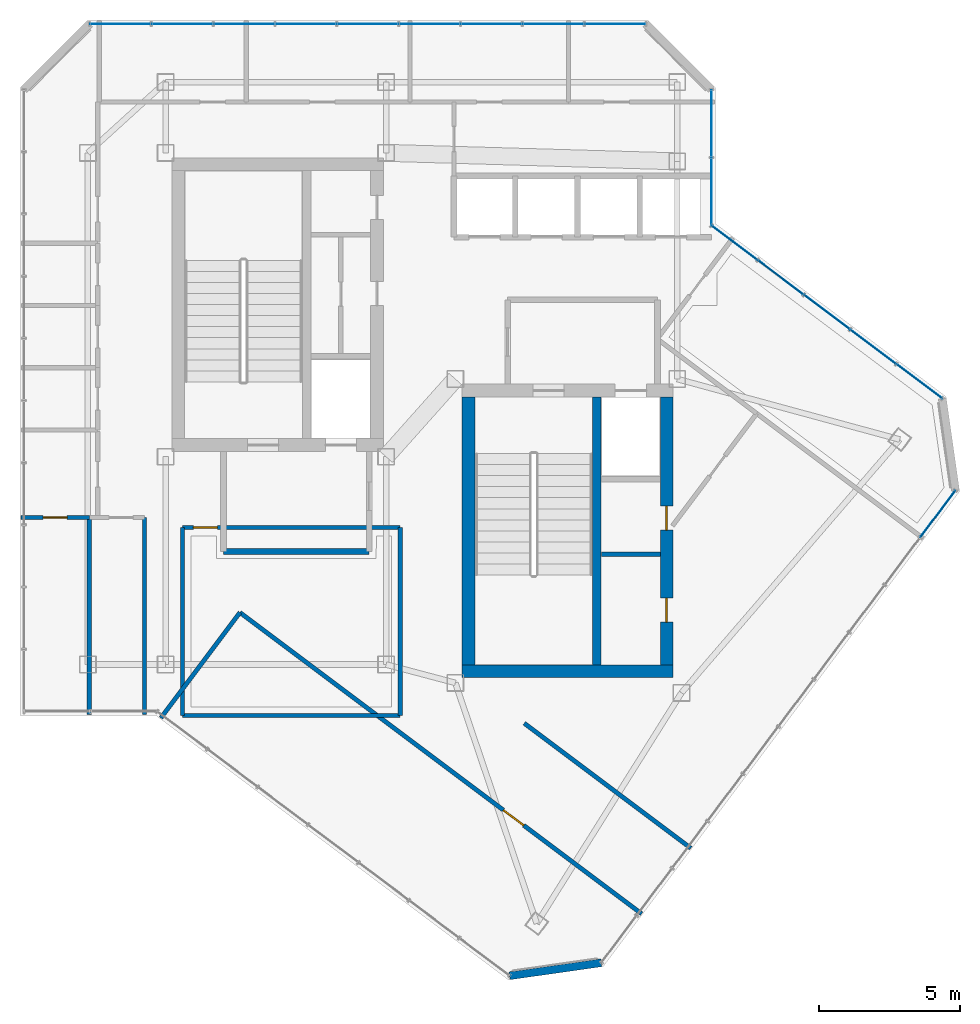
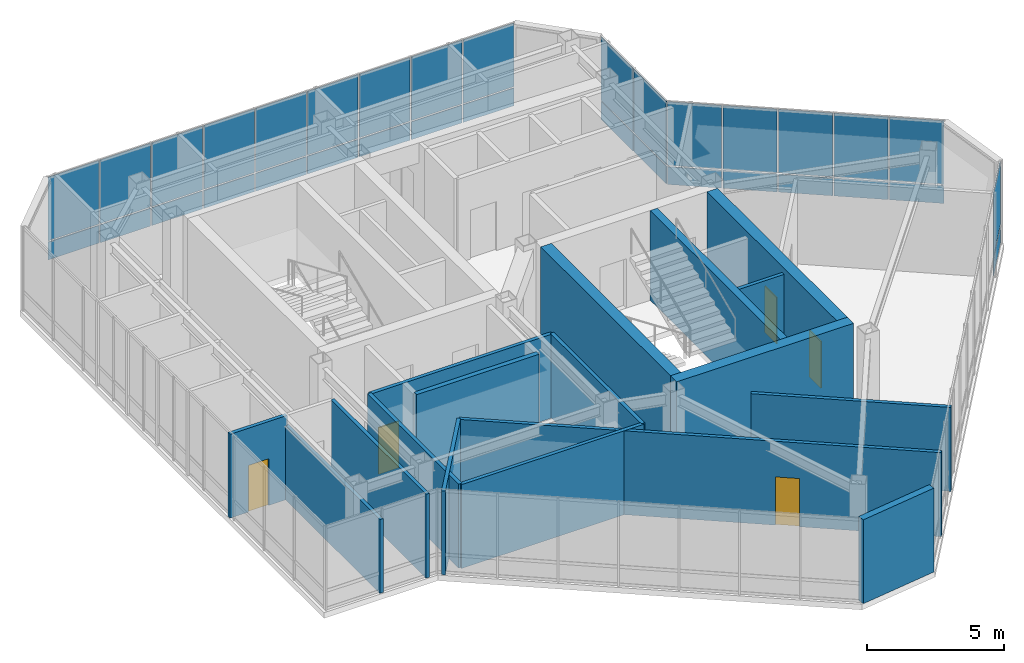
# One storey, part 25 of 29: 34 plates, 17 walls, 5 doors, 5 openings, 4 elements without a shape of their own.
"""IFC4 building model written with IfcOpenShell, lengths in metres."""

from ifc_helpers import new_model, si_unit, direction, frame, frame_2d, origin, origin_2d, place, context, subcontext, project, spatial, rectangle, extrude, material, layer, layer_set, type_object, element, fill, aggregate, save


model = new_model("IFC4")

# Units and contexts
model_context = context("Model", 3, precision=1e-05, world=origin(), true_north=direction((0.0, 1.0)))
body_context = subcontext(model_context, "Body", "Model", "MODEL_VIEW")
ifc_project = project(units=[si_unit("LENGTHUNIT", "METRE"), si_unit("AREAUNIT", "SQUARE_METRE"), si_unit("VOLUMEUNIT", "CUBIC_METRE"), si_unit("PLANEANGLEUNIT", "RADIAN"), si_unit("MASSUNIT", "GRAM", prefix="KILO")], contexts=[model_context])

# Site, building, storey
site_placement = place(None, origin())
site = spatial("IfcSite", under=ifc_project, at=site_placement, CompositionType="ELEMENT")
building_placement = place(site_placement, origin())
building = spatial("IfcBuilding", under=site, at=building_placement, Name="Hatsunagi Terrace Concourse", CompositionType="ELEMENT")
storey_placement = place(building_placement, frame((0.0, 0.0, 277.949951171875)))
storey = spatial("IfcBuildingStorey", under=building, at=storey_placement, Name="L73", CompositionType="ELEMENT", Elevation=277.949951171875)

# Curtain wall, plates
ifc_material_1 = material(Name="Anodised Aluminium Alloy 6063-T5", Category="aluminium")
ifc_layer_1 = layer(ifc_material_1, 0.199951171875)
ifc_layer_set_1 = layer_set([ifc_layer_1], Name="CrownWintergarden_CW06")
curtain_wall_type = type_object("IfcCurtainWallType", Name="CrownWintergarden_CW06", PredefinedType="NOTDEFINED", material=ifc_layer_set_1)
curtain_wall_1_placement = place(storey_placement, origin())
curtain_wall_1 = element("IfcCurtainWall", 1, at=curtain_wall_1_placement, inside=storey, type_object=curtain_wall_type, Name="Unitised Curtain Wall CW-06 CW-L73-01", PredefinedType="NOTDEFINED")
ifc_material_2 = material(Name="Warm Terracotta Ceramic Spandrel Panel", Category="masonry")
ifc_layer_2 = layer(ifc_material_2, 0.031982421875)
ifc_layer_set_2 = layer_set([ifc_layer_2], Name="CurtainWallSpandrelPanel_32")
plate_type_1 = type_object("IfcPlateType", Name="CurtainWallSpandrelPanel_32", PredefinedType="SHEET", material=ifc_layer_set_2)
plate_1_placement = place(storey_placement, frame((45.677001953125, 40.116943359375, 0.030029296875), z_axis=(0.0, 0.0, 1.0), x_axis=(0.800023013105, -0.599969314634, 0.0)))
plate_1 = element("IfcPlate", 2, at=plate_1_placement, type_object=plate_type_1, Name="Terracotta Spandrel Panel SPN-01", PredefinedType="SHEET", context=body_context, shape_type="SweptSolid", body=[
    extrude(rectangle(XDim=1.987060546875, YDim=0.031982421875, at=origin_2d()), origin(), (0.0, 0.0, 1.0), 0.7900390625),
])
plate_2_placement = place(storey_placement, frame((47.31103515625, 38.89208984375, 0.030029296875), z_axis=(0.0, 0.0, 1.0), x_axis=(0.800023013105, -0.599969314634, 0.0)))
plate_2 = element("IfcPlate", 3, at=plate_2_placement, type_object=plate_type_1, Name="Terracotta Spandrel Panel SPN-01", PredefinedType="SHEET", context=body_context, shape_type="SweptSolid", body=[
    extrude(rectangle(XDim=1.987060546875, YDim=0.031982421875, at=origin_2d()), origin(), (0.0, 0.0, 1.0), 0.7900390625),
])
plate_3_placement = place(storey_placement, frame((48.945068359375, 37.666015625, 0.030029296875), z_axis=(0.0, 0.0, 1.0), x_axis=(0.800023013105, -0.599969314634, 0.0)))
plate_3 = element("IfcPlate", 4, at=plate_3_placement, type_object=plate_type_1, Name="Terracotta Spandrel Panel SPN-01", PredefinedType="SHEET", context=body_context, shape_type="SweptSolid", body=[
    extrude(rectangle(XDim=1.987060546875, YDim=0.031982421875, at=origin_2d()), origin(), (0.0, 0.0, 1.0), 0.7900390625),
])
plate_4_placement = place(storey_placement, frame((50.5791015625, 36.44091796875, 0.030029296875), z_axis=(0.0, 0.0, 1.0), x_axis=(0.800023013105, -0.599969314634, 0.0)))
plate_4 = element("IfcPlate", 5, at=plate_4_placement, type_object=plate_type_1, Name="Terracotta Spandrel Panel SPN-01", PredefinedType="SHEET", context=body_context, shape_type="SweptSolid", body=[
    extrude(rectangle(XDim=1.987060546875, YDim=0.031982421875, at=origin_2d()), origin(), (0.0, 0.0, 1.0), 0.7900390625),
])
plate_5_placement = place(storey_placement, frame((52.212890625, 35.216064453125, 0.030029296875), z_axis=(0.0, 0.0, 1.0), x_axis=(0.800023013105, -0.599969314634, 0.0)))
plate_5 = element("IfcPlate", 6, at=plate_5_placement, type_object=plate_type_1, Name="Terracotta Spandrel Panel SPN-01", PredefinedType="SHEET", context=body_context, shape_type="SweptSolid", body=[
    extrude(rectangle(XDim=1.987060546875, YDim=0.031982421875, at=origin_2d()), origin(), (0.0, 0.0, 1.0), 0.7900390625),
])

# Curtain wall, plate
curtain_wall_2_placement = place(storey_placement, origin())
curtain_wall_2 = element("IfcCurtainWall", 7, at=curtain_wall_2_placement, inside=storey, type_object=curtain_wall_type, Name="Unitised Curtain Wall CW-06 CW-L73-03", PredefinedType="NOTDEFINED")
plate_6_placement = place(storey_placement, frame((52.866943359375, 30.52294921875, 0.030029296875), z_axis=(0.0, 0.0, 1.0), x_axis=(-0.599969314634, -0.800023013105, 0.0)))
plate_6 = element("IfcPlate", 8, at=plate_6_placement, type_object=plate_type_1, Name="Terracotta Spandrel Panel SPN-01", PredefinedType="SHEET", context=body_context, shape_type="SweptSolid", body=[
    extrude(rectangle(XDim=2.032958984375, YDim=0.031982421875, at=origin_2d()), origin(), (0.0, 0.0, 1.0), 0.7900390625),
])

# Curtain wall, plates
curtain_wall_3_placement = place(storey_placement, origin())
curtain_wall_3 = element("IfcCurtainWall", 9, at=curtain_wall_3_placement, inside=storey, type_object=curtain_wall_type, Name="Unitised Curtain Wall CW-06 CW-L73-09", PredefinedType="NOTDEFINED")
plate_7_placement = place(storey_placement, frame((23.951904296875, 47.860107421875, 0.030029296875), z_axis=(0.0, 0.0, 1.0), x_axis=(1.0, 0.0, 0.0)))
plate_7 = element("IfcPlate", 10, at=plate_7_placement, type_object=plate_type_1, Name="Terracotta Spandrel Panel SPN-01", PredefinedType="SHEET", context=body_context, shape_type="SweptSolid", body=[
    extrude(rectangle(XDim=2.132080078125, YDim=0.031982421875, at=origin_2d()), origin(), (0.0, 0.0, 1.0), 0.7900390625),
])
plate_8_placement = place(storey_placement, frame((26.138916015625, 47.860107421875, 0.030029296875), z_axis=(0.0, 0.0, 1.0), x_axis=(1.0, 0.0, 0.0)))
plate_8 = element("IfcPlate", 11, at=plate_8_placement, type_object=plate_type_1, Name="Terracotta Spandrel Panel SPN-01", PredefinedType="SHEET", context=body_context, shape_type="SweptSolid", body=[
    extrude(rectangle(XDim=2.132080078125, YDim=0.031982421875, at=origin_2d()), origin(), (0.0, 0.0, 1.0), 0.7900390625),
])
plate_9_placement = place(storey_placement, frame((28.325927734375, 47.860107421875, 0.030029296875), z_axis=(0.0, 0.0, 1.0), x_axis=(1.0, 0.0, 0.0)))
plate_9 = element("IfcPlate", 12, at=plate_9_placement, type_object=plate_type_1, Name="Terracotta Spandrel Panel SPN-01", PredefinedType="SHEET", context=body_context, shape_type="SweptSolid", body=[
    extrude(rectangle(XDim=2.132080078125, YDim=0.031982421875, at=origin_2d()), origin(), (0.0, 0.0, 1.0), 0.7900390625),
])
plate_10_placement = place(storey_placement, frame((30.512939453125, 47.860107421875, 0.030029296875), z_axis=(0.0, 0.0, 1.0), x_axis=(1.0, 0.0, 0.0)))
plate_10 = element("IfcPlate", 13, at=plate_10_placement, type_object=plate_type_1, Name="Terracotta Spandrel Panel SPN-01", PredefinedType="SHEET", context=body_context, shape_type="SweptSolid", body=[
    extrude(rectangle(XDim=2.132080078125, YDim=0.031982421875, at=origin_2d()), origin(), (0.0, 0.0, 1.0), 0.7900390625),
])
plate_11_placement = place(storey_placement, frame((32.699951171875, 47.860107421875, 0.030029296875), z_axis=(0.0, 0.0, 1.0), x_axis=(1.0, 0.0, 0.0)))
plate_11 = element("IfcPlate", 14, at=plate_11_placement, type_object=plate_type_1, Name="Terracotta Spandrel Panel SPN-01", PredefinedType="SHEET", context=body_context, shape_type="SweptSolid", body=[
    extrude(rectangle(XDim=2.132080078125, YDim=0.031982421875, at=origin_2d()), origin(), (0.0, 0.0, 1.0), 0.7900390625),
])
plate_12_placement = place(storey_placement, frame((34.886962890625, 47.860107421875, 0.030029296875), z_axis=(0.0, 0.0, 1.0), x_axis=(1.0, 0.0, 0.0)))
plate_12 = element("IfcPlate", 15, at=plate_12_placement, type_object=plate_type_1, Name="Terracotta Spandrel Panel SPN-01", PredefinedType="SHEET", context=body_context, shape_type="SweptSolid", body=[
    extrude(rectangle(XDim=2.132080078125, YDim=0.031982421875, at=origin_2d()), origin(), (0.0, 0.0, 1.0), 0.7900390625),
])
plate_13_placement = place(storey_placement, frame((37.073974609375, 47.860107421875, 0.030029296875), z_axis=(0.0, 0.0, 1.0), x_axis=(1.0, 0.0, 0.0)))
plate_13 = element("IfcPlate", 16, at=plate_13_placement, type_object=plate_type_1, Name="Terracotta Spandrel Panel SPN-01", PredefinedType="SHEET", context=body_context, shape_type="SweptSolid", body=[
    extrude(rectangle(XDim=2.132080078125, YDim=0.031982421875, at=origin_2d()), origin(), (0.0, 0.0, 1.0), 0.7900390625),
])
plate_14_placement = place(storey_placement, frame((39.260986328125, 47.860107421875, 0.030029296875), z_axis=(0.0, 0.0, 1.0), x_axis=(1.0, 0.0, 0.0)))
plate_14 = element("IfcPlate", 17, at=plate_14_placement, type_object=plate_type_1, Name="Terracotta Spandrel Panel SPN-01", PredefinedType="SHEET", context=body_context, shape_type="SweptSolid", body=[
    extrude(rectangle(XDim=2.132080078125, YDim=0.031982421875, at=origin_2d()), origin(), (0.0, 0.0, 1.0), 0.7900390625),
])
plate_15_placement = place(storey_placement, frame((41.447998046875, 47.860107421875, 0.030029296875), z_axis=(0.0, 0.0, 1.0), x_axis=(1.0, 0.0, 0.0)))
plate_15 = element("IfcPlate", 18, at=plate_15_placement, type_object=plate_type_1, Name="Terracotta Spandrel Panel SPN-01", PredefinedType="SHEET", context=body_context, shape_type="SweptSolid", body=[
    extrude(rectangle(XDim=2.132080078125, YDim=0.031982421875, at=origin_2d()), origin(), (0.0, 0.0, 1.0), 0.7900390625),
])

curtain_wall_4_placement = place(storey_placement, origin())
curtain_wall_4 = element("IfcCurtainWall", 19, at=curtain_wall_4_placement, inside=storey, type_object=curtain_wall_type, Name="Unitised Curtain Wall CW-06 CW-L73-11", PredefinedType="NOTDEFINED")
plate_16_placement = place(storey_placement, frame((44.860107421875, 44.339111328125, 0.030029296875), z_axis=(0.0, 0.0, 1.0), x_axis=(0.0, -1.0, 0.0)))
plate_16 = element("IfcPlate", 20, at=plate_16_placement, type_object=plate_type_1, Name="Terracotta Spandrel Panel SPN-01", PredefinedType="SHEET", context=body_context, shape_type="SweptSolid", body=[
    extrude(rectangle(XDim=2.35107421875, YDim=0.031982421875, at=origin_2d()), origin(), (0.0, 0.0, 1.0), 0.7900390625),
])
plate_17_placement = place(storey_placement, frame((44.860107421875, 41.93310546875, 0.030029296875), z_axis=(0.0, 0.0, 1.0), x_axis=(0.0, -1.0, 0.0)))
plate_17 = element("IfcPlate", 21, at=plate_17_placement, type_object=plate_type_1, Name="Terracotta Spandrel Panel SPN-01", PredefinedType="SHEET", context=body_context, shape_type="SweptSolid", body=[
    extrude(rectangle(XDim=2.35107421875, YDim=0.031982421875, at=origin_2d()), origin(), (0.0, 0.0, 1.0), 0.7900390625),
])

# Plate
ifc_material_3 = material(Name="Low-E Double Insulating Glass 28mm", Category="glass")
ifc_layer_3 = layer(ifc_material_3, 0.028076171875)
ifc_layer_set_3 = layer_set([ifc_layer_3], Name="CurtainWallVisionGlass_28")
plate_type_2 = type_object("IfcPlateType", Name="CurtainWallVisionGlass_28", PredefinedType="CURTAIN_PANEL", material=ifc_layer_set_3)
plate_18_placement = place(storey_placement, frame((45.677001953125, 40.116943359375, 0.880126953125), z_axis=(0.0, 0.0, 1.0), x_axis=(0.800023013105, -0.599969314634, 0.0)))
plate_18 = element("IfcPlate", 22, at=plate_18_placement, type_object=plate_type_2, Name="Low-E Vision Glass Panel GLZ-01", PredefinedType="CURTAIN_PANEL", context=body_context, shape_type="SweptSolid", body=[
    extrude(rectangle(XDim=1.987060546875, YDim=0.028076171875, at=origin_2d()), origin(), (0.0, 0.0, 1.0), 2.830078125),
])

plate_19_placement = place(storey_placement, frame((47.31103515625, 38.89208984375, 0.880126953125), z_axis=(0.0, 0.0, 1.0), x_axis=(0.800023013105, -0.599969314634, 0.0)))
plate_19 = element("IfcPlate", 23, at=plate_19_placement, type_object=plate_type_2, Name="Low-E Vision Glass Panel GLZ-01", PredefinedType="CURTAIN_PANEL", context=body_context, shape_type="SweptSolid", body=[
    extrude(rectangle(XDim=1.987060546875, YDim=0.028076171875, at=origin_2d()), origin(), (0.0, 0.0, 1.0), 2.830078125),
])

plate_20_placement = place(storey_placement, frame((48.945068359375, 37.666015625, 0.880126953125), z_axis=(0.0, 0.0, 1.0), x_axis=(0.800023013105, -0.599969314634, 0.0)))
plate_20 = element("IfcPlate", 24, at=plate_20_placement, type_object=plate_type_2, Name="Low-E Vision Glass Panel GLZ-01", PredefinedType="CURTAIN_PANEL", context=body_context, shape_type="SweptSolid", body=[
    extrude(rectangle(XDim=1.987060546875, YDim=0.028076171875, at=origin_2d()), origin(), (0.0, 0.0, 1.0), 2.830078125),
])

plate_21_placement = place(storey_placement, frame((50.5791015625, 36.44091796875, 0.880126953125), z_axis=(0.0, 0.0, 1.0), x_axis=(0.800023013105, -0.599969314634, 0.0)))
plate_21 = element("IfcPlate", 25, at=plate_21_placement, type_object=plate_type_2, Name="Low-E Vision Glass Panel GLZ-01", PredefinedType="CURTAIN_PANEL", context=body_context, shape_type="SweptSolid", body=[
    extrude(rectangle(XDim=1.987060546875, YDim=0.028076171875, at=origin_2d()), origin(), (0.0, 0.0, 1.0), 2.830078125),
])

plate_22_placement = place(storey_placement, frame((52.212890625, 35.216064453125, 0.880126953125), z_axis=(0.0, 0.0, 1.0), x_axis=(0.800023013105, -0.599969314634, 0.0)))
plate_22 = element("IfcPlate", 26, at=plate_22_placement, type_object=plate_type_2, Name="Low-E Vision Glass Panel GLZ-01", PredefinedType="CURTAIN_PANEL", context=body_context, shape_type="SweptSolid", body=[
    extrude(rectangle(XDim=1.987060546875, YDim=0.028076171875, at=origin_2d()), origin(), (0.0, 0.0, 1.0), 2.830078125),
])

aggregate(curtain_wall_1, [plate_1, plate_18, plate_2, plate_19, plate_3, plate_20, plate_4, plate_21, plate_5, plate_22])

plate_23_placement = place(storey_placement, frame((52.866943359375, 30.52294921875, 0.880126953125), z_axis=(0.0, 0.0, 1.0), x_axis=(-0.599969314634, -0.800023013105, 0.0)))
plate_23 = element("IfcPlate", 27, at=plate_23_placement, type_object=plate_type_2, Name="Low-E Vision Glass Panel GLZ-01", PredefinedType="CURTAIN_PANEL", context=body_context, shape_type="SweptSolid", body=[
    extrude(rectangle(XDim=2.032958984375, YDim=0.028076171875, at=origin_2d()), origin(), (0.0, 0.0, 1.0), 2.830078125),
])

aggregate(curtain_wall_2, [plate_6, plate_23])

plate_24_placement = place(storey_placement, frame((23.951904296875, 47.860107421875, 0.880126953125), z_axis=(0.0, 0.0, 1.0), x_axis=(1.0, 0.0, 0.0)))
plate_24 = element("IfcPlate", 28, at=plate_24_placement, type_object=plate_type_2, Name="Low-E Vision Glass Panel GLZ-01", PredefinedType="CURTAIN_PANEL", context=body_context, shape_type="SweptSolid", body=[
    extrude(rectangle(XDim=2.132080078125, YDim=0.028076171875, at=origin_2d()), origin(), (0.0, 0.0, 1.0), 2.830078125),
])

plate_25_placement = place(storey_placement, frame((26.138916015625, 47.860107421875, 0.880126953125), z_axis=(0.0, 0.0, 1.0), x_axis=(1.0, 0.0, 0.0)))
plate_25 = element("IfcPlate", 29, at=plate_25_placement, type_object=plate_type_2, Name="Low-E Vision Glass Panel GLZ-01", PredefinedType="CURTAIN_PANEL", context=body_context, shape_type="SweptSolid", body=[
    extrude(rectangle(XDim=2.132080078125, YDim=0.028076171875, at=origin_2d()), origin(), (0.0, 0.0, 1.0), 2.830078125),
])

plate_26_placement = place(storey_placement, frame((28.325927734375, 47.860107421875, 0.880126953125), z_axis=(0.0, 0.0, 1.0), x_axis=(1.0, 0.0, 0.0)))
plate_26 = element("IfcPlate", 30, at=plate_26_placement, type_object=plate_type_2, Name="Low-E Vision Glass Panel GLZ-01", PredefinedType="CURTAIN_PANEL", context=body_context, shape_type="SweptSolid", body=[
    extrude(rectangle(XDim=2.132080078125, YDim=0.028076171875, at=origin_2d()), origin(), (0.0, 0.0, 1.0), 2.830078125),
])

plate_27_placement = place(storey_placement, frame((30.512939453125, 47.860107421875, 0.880126953125), z_axis=(0.0, 0.0, 1.0), x_axis=(1.0, 0.0, 0.0)))
plate_27 = element("IfcPlate", 31, at=plate_27_placement, type_object=plate_type_2, Name="Low-E Vision Glass Panel GLZ-01", PredefinedType="CURTAIN_PANEL", context=body_context, shape_type="SweptSolid", body=[
    extrude(rectangle(XDim=2.132080078125, YDim=0.028076171875, at=origin_2d()), origin(), (0.0, 0.0, 1.0), 2.830078125),
])

plate_28_placement = place(storey_placement, frame((32.699951171875, 47.860107421875, 0.880126953125), z_axis=(0.0, 0.0, 1.0), x_axis=(1.0, 0.0, 0.0)))
plate_28 = element("IfcPlate", 32, at=plate_28_placement, type_object=plate_type_2, Name="Low-E Vision Glass Panel GLZ-01", PredefinedType="CURTAIN_PANEL", context=body_context, shape_type="SweptSolid", body=[
    extrude(rectangle(XDim=2.132080078125, YDim=0.028076171875, at=origin_2d()), origin(), (0.0, 0.0, 1.0), 2.830078125),
])

plate_29_placement = place(storey_placement, frame((34.886962890625, 47.860107421875, 0.880126953125), z_axis=(0.0, 0.0, 1.0), x_axis=(1.0, 0.0, 0.0)))
plate_29 = element("IfcPlate", 33, at=plate_29_placement, type_object=plate_type_2, Name="Low-E Vision Glass Panel GLZ-01", PredefinedType="CURTAIN_PANEL", context=body_context, shape_type="SweptSolid", body=[
    extrude(rectangle(XDim=2.132080078125, YDim=0.028076171875, at=origin_2d()), origin(), (0.0, 0.0, 1.0), 2.830078125),
])

plate_30_placement = place(storey_placement, frame((37.073974609375, 47.860107421875, 0.880126953125), z_axis=(0.0, 0.0, 1.0), x_axis=(1.0, 0.0, 0.0)))
plate_30 = element("IfcPlate", 34, at=plate_30_placement, type_object=plate_type_2, Name="Low-E Vision Glass Panel GLZ-01", PredefinedType="CURTAIN_PANEL", context=body_context, shape_type="SweptSolid", body=[
    extrude(rectangle(XDim=2.132080078125, YDim=0.028076171875, at=origin_2d()), origin(), (0.0, 0.0, 1.0), 2.830078125),
])

plate_31_placement = place(storey_placement, frame((39.260986328125, 47.860107421875, 0.880126953125), z_axis=(0.0, 0.0, 1.0), x_axis=(1.0, 0.0, 0.0)))
plate_31 = element("IfcPlate", 35, at=plate_31_placement, type_object=plate_type_2, Name="Low-E Vision Glass Panel GLZ-01", PredefinedType="CURTAIN_PANEL", context=body_context, shape_type="SweptSolid", body=[
    extrude(rectangle(XDim=2.132080078125, YDim=0.028076171875, at=origin_2d()), origin(), (0.0, 0.0, 1.0), 2.830078125),
])

plate_32_placement = place(storey_placement, frame((41.447998046875, 47.860107421875, 0.880126953125), z_axis=(0.0, 0.0, 1.0), x_axis=(1.0, 0.0, 0.0)))
plate_32 = element("IfcPlate", 36, at=plate_32_placement, type_object=plate_type_2, Name="Low-E Vision Glass Panel GLZ-01", PredefinedType="CURTAIN_PANEL", context=body_context, shape_type="SweptSolid", body=[
    extrude(rectangle(XDim=2.132080078125, YDim=0.028076171875, at=origin_2d()), origin(), (0.0, 0.0, 1.0), 2.830078125),
])

aggregate(curtain_wall_3, [plate_7, plate_24, plate_8, plate_25, plate_9, plate_26, plate_10, plate_27, plate_11, plate_28, plate_12, plate_29, plate_13, plate_30, plate_14, plate_31, plate_15, plate_32])

plate_33_placement = place(storey_placement, frame((44.860107421875, 44.339111328125, 0.880126953125), z_axis=(0.0, 0.0, 1.0), x_axis=(0.0, -1.0, 0.0)))
plate_33 = element("IfcPlate", 37, at=plate_33_placement, type_object=plate_type_2, Name="Low-E Vision Glass Panel GLZ-01", PredefinedType="CURTAIN_PANEL", context=body_context, shape_type="SweptSolid", body=[
    extrude(rectangle(XDim=2.35107421875, YDim=0.028076171875, at=origin_2d()), origin(), (0.0, 0.0, 1.0), 2.830078125),
])

plate_34_placement = place(storey_placement, frame((44.860107421875, 41.93310546875, 0.880126953125), z_axis=(0.0, 0.0, 1.0), x_axis=(0.0, -1.0, 0.0)))
plate_34 = element("IfcPlate", 38, at=plate_34_placement, type_object=plate_type_2, Name="Low-E Vision Glass Panel GLZ-01", PredefinedType="CURTAIN_PANEL", context=body_context, shape_type="SweptSolid", body=[
    extrude(rectangle(XDim=2.35107421875, YDim=0.028076171875, at=origin_2d()), origin(), (0.0, 0.0, 1.0), 2.830078125),
])

aggregate(curtain_wall_4, [plate_16, plate_33, plate_17, plate_34])

# Walls
ifc_material_4 = material(Name="Concrete Fc42", Category="concrete")
ifc_layer_4 = layer(ifc_material_4, 0.449951171875)
ifc_layer_set_4 = layer_set([ifc_layer_4], Name="CoreShearWall_Fc42_450")
wall_type_1 = type_object("IfcWallType", Name="CoreShearWall_Fc42_450", PredefinedType="SHEAR", material=ifc_layer_set_4)
wall_1_placement = place(storey_placement, frame((36.0400390625, 24.965087890625, 0.0), z_axis=(0.0, 0.0, 1.0), x_axis=(1.0, 0.0, 0.0)))
element("IfcWall", 39, at=wall_1_placement, inside=storey, type_object=wall_type_1, Name="Core B Shear Wall S L73", PredefinedType="SHEAR", context=body_context, shape_type="SweptSolid", body=[
    extrude(rectangle(XDim=7.4599609375, YDim=0.449951171875, at=frame_2d((3.72998046875, 0.0))), origin(), (0.0, 0.0, 1.0), 4.0),
])
wall_2_placement = place(storey_placement, frame((36.264892578125, 25.18994140625, 0.0), z_axis=(0.0, 0.0, 1.0), x_axis=(0.0, 1.0, 0.0)))
element("IfcWall", 40, at=wall_2_placement, inside=storey, type_object=wall_type_1, Name="Core B Shear Wall W L73", PredefinedType="SHEAR", context=body_context, shape_type="SweptSolid", body=[
    extrude(rectangle(XDim=9.47998046875, YDim=0.449951171875, at=frame_2d((4.739990234375, 0.0))), origin(), (0.0, 0.0, 1.0), 4.0),
])

# Wall, openings, doors
wall_3_placement = place(storey_placement, frame((43.27490234375, 25.18994140625, 0.0), z_axis=(0.0, 0.0, 1.0), x_axis=(0.0, 1.0, 0.0)))
wall_3 = element("IfcWall", 41, at=wall_3_placement, inside=storey, type_object=wall_type_1, Name="Core B Shear Wall E L73", PredefinedType="SHEAR", context=body_context, shape_type="SweptSolid", body=[
    extrude(rectangle(XDim=9.47998046875, YDim=0.449951171875, at=frame_2d((4.739990234375, 0.0))), origin(), (0.0, 0.0, 1.0), 4.0),
])
opening_1_placement = place(wall_3_placement, frame((1.510009765625, 0.0, 0.0)))
opening_1 = element("IfcOpeningElement", 42, at=opening_1_placement, cuts=wall_3, Name="Opening DR-085", PredefinedType="OPENING", context=body_context, shape_type="SweptSolid", body=[
    extrude(rectangle(XDim=0.85009765625, YDim=2.080078125, at=frame_2d((0.425048828125, 1.0400390625))), frame((0.0, 0.23486328125, 0.0), z_axis=(0.0, -1.0, 0.0), x_axis=(1.0, 0.0, 0.0)), (0.0, 0.0, 1.0), 0.469970703125),
])
opening_2_placement = place(wall_3_placement, frame((4.760009765625, 0.0, 0.0)))
opening_2 = element("IfcOpeningElement", 43, at=opening_2_placement, cuts=wall_3, Name="Opening DR-085", PredefinedType="OPENING", context=body_context, shape_type="SweptSolid", body=[
    extrude(rectangle(XDim=0.85009765625, YDim=2.080078125, at=frame_2d((0.425048828125, 1.0400390625))), frame((0.0, 0.23486328125, 0.0), z_axis=(0.0, -1.0, 0.0), x_axis=(1.0, 0.0, 0.0)), (0.0, 0.0, 1.0), 0.469970703125),
])
ifc_material_5 = material(Name="Painted steel", Category="steel")
door_type_1 = type_object("IfcDoorType", Name="RiserAccessDoor_EI60_850", OperationType="NOTDEFINED", PredefinedType="DOOR", material=ifc_material_5)
door_1_placement = place(opening_1_placement, origin())
door_1 = element("IfcDoor", 44, at=door_1_placement, inside=storey, type_object=door_type_1, Name="Core B Riser Door L73-1", OperationType="SINGLE_SWING_RIGHT", OverallHeight=2.080078125, OverallWidth=0.85009765625, PredefinedType="DOOR", context=body_context, shape_type="SweptSolid", body=[
    extrude(rectangle(XDim=0.85009765625, YDim=2.080078125, at=frame_2d((0.425048828125, 1.0400390625))), frame((0.0, 0.02490234375, 0.0), z_axis=(0.0, -1.0, 0.0), x_axis=(1.0, 0.0, 0.0)), (0.0, 0.0, 1.0), 0.050048828125),
])
fill(opening_1, door_1)
door_2_placement = place(opening_2_placement, origin())
door_2 = element("IfcDoor", 45, at=door_2_placement, inside=storey, type_object=door_type_1, Name="Core B Riser Door L73-2", OperationType="SINGLE_SWING_RIGHT", OverallHeight=2.080078125, OverallWidth=0.85009765625, PredefinedType="DOOR", context=body_context, shape_type="SweptSolid", body=[
    extrude(rectangle(XDim=0.85009765625, YDim=2.080078125, at=frame_2d((0.425048828125, 1.0400390625))), frame((0.0, 0.02490234375, 0.0), z_axis=(0.0, -1.0, 0.0), x_axis=(1.0, 0.0, 0.0)), (0.0, 0.0, 1.0), 0.050048828125),
])
fill(opening_2, door_2)

# Walls
ifc_material_6 = material(Name="Concrete Fc48", Category="concrete")
ifc_layer_5 = layer(ifc_material_6, 0.300048828125)
ifc_layer_set_5 = layer_set([ifc_layer_5], Name="CoreStairDivider_Fc48_300")
wall_type_2 = type_object("IfcWallType", Name="CoreStairDivider_Fc48_300", PredefinedType="SHEAR", material=ifc_layer_set_5)
wall_4_placement = place(storey_placement, frame((40.81005859375, 25.18994140625, 0.0), z_axis=(0.0, 0.0, 1.0), x_axis=(0.0, 1.0, 0.0)))
element("IfcWall", 46, at=wall_4_placement, inside=storey, type_object=wall_type_2, Name="Core B Shear Wall D L73", PredefinedType="SHEAR", context=body_context, shape_type="SweptSolid", body=[
    extrude(rectangle(XDim=9.47998046875, YDim=0.300048828125, at=frame_2d((4.739990234375, 0.0))), origin(), (0.0, 0.0, 1.0), 4.0),
])
ifc_material_7 = material(Name="Acoustic mineral board", Category="gypsum")
ifc_layer_6 = layer(ifc_material_7, 0.14990234375)
ifc_layer_set_6 = layer_set([ifc_layer_6], Name="PartitionWall_EI60_150")
wall_type_3 = type_object("IfcWallType", Name="PartitionWall_EI60_150", PredefinedType="PARTITIONING", material=ifc_layer_set_6)
wall_5_placement = place(storey_placement, frame((40.969970703125, 29.10009765625, 0.0), z_axis=(0.0, 0.0, 1.0), x_axis=(1.0, 0.0, 0.0)))
element("IfcWall", 47, at=wall_5_placement, inside=storey, type_object=wall_type_3, Name="Interior Partition IW-L73-005", PredefinedType="PARTITIONING", context=body_context, shape_type="SweptSolid", body=[
    extrude(rectangle(XDim=2.080078125, YDim=0.14990234375, at=frame_2d((1.0400390625, 0.0))), origin(), (0.0, 0.0, 1.0), 3.739990234375),
])
wall_6_placement = place(storey_placement, frame((26.14990234375, 23.39990234375, 0.0), z_axis=(0.0, 0.0, 1.0), x_axis=(1.0, 0.0, 0.0)))
element("IfcWall", 48, at=wall_6_placement, inside=storey, type_object=wall_type_3, Name="Interior Partition IW-L73-025", PredefinedType="PARTITIONING", context=body_context, shape_type="SweptSolid", body=[
    extrude(rectangle(XDim=7.7001953125, YDim=0.14990234375, at=frame_2d((3.85009765625, 0.0))), origin(), (0.0, 0.0, 1.0), 3.739990234375),
])

# Wall, opening, door
wall_7_placement = place(storey_placement, frame((26.14990234375, 30.050048828125, 0.0), z_axis=(0.0, 0.0, 1.0), x_axis=(1.0, 0.0, 0.0)))
wall_7 = element("IfcWall", 49, at=wall_7_placement, inside=storey, type_object=wall_type_3, Name="Interior Partition IW-L73-026", PredefinedType="PARTITIONING", context=body_context, shape_type="SweptSolid", body=[
    extrude(rectangle(XDim=7.7001953125, YDim=0.14990234375, at=frame_2d((3.85009765625, 0.0))), origin(), (0.0, 0.0, 1.0), 3.739990234375),
])
opening_3_placement = place(wall_7_placement, frame((0.3798828125, 0.0, 0.0)))
opening_3 = element("IfcOpeningElement", 50, at=opening_3_placement, cuts=wall_7, Name="Opening DR-085", PredefinedType="OPENING", context=body_context, shape_type="SweptSolid", body=[
    extrude(rectangle(XDim=0.85009765625, YDim=2.080078125, at=frame_2d((0.425048828125, 1.0400390625))), frame((0.0, 0.0849609375, 0.0), z_axis=(0.0, -1.0, 0.0), x_axis=(1.0, 0.0, 0.0)), (0.0, 0.0, 1.0), 0.169921875),
])
door_3_placement = place(opening_3_placement, origin())
door_3 = element("IfcDoor", 51, at=door_3_placement, inside=storey, type_object=door_type_1, Name="Crown Executive Suite L73-RECL1 Door", OperationType="SINGLE_SWING_RIGHT", OverallHeight=2.080078125, OverallWidth=0.85009765625, PredefinedType="DOOR", context=body_context, shape_type="SweptSolid", body=[
    extrude(rectangle(XDim=0.85009765625, YDim=2.080078125, at=frame_2d((0.425048828125, 1.0400390625))), frame((0.0, 0.02490234375, 0.0), z_axis=(0.0, -1.0, 0.0), x_axis=(1.0, 0.0, 0.0)), (0.0, 0.0, 1.0), 0.050048828125),
])
fill(opening_3, door_3)

# Walls
for number, where, z_axis, x_axis, name in (
    (52, (26.14990234375, 23.39990234375, 0.0), (0.0, 0.0, 1.0), (0.0, 1.0, 0.0), "Interior Partition IW-L73-027"),
    (53, (33.85009765625, 23.39990234375, 0.0), (0.0, 0.0, 1.0), (0.0, 1.0, 0.0), "Interior Partition IW-L73-028"),
):
    element("IfcWall", number, at=place(storey_placement, frame(where, z_axis=z_axis, x_axis=x_axis)), inside=storey, type_object=wall_type_3, Name=name, PredefinedType="PARTITIONING", context=body_context, shape_type="SweptSolid", body=[
        extrude(rectangle(XDim=6.650146484375, YDim=0.14990234375, at=frame_2d((3.3251953125, 0.0))), origin(), (0.0, 0.0, 1.0), 3.739990234375),
    ])

# Wall, opening, door
wall_8_placement = place(storey_placement, frame((28.179931640625, 27.0400390625, 0.0), z_axis=(0.0, 0.0, 1.0), x_axis=(0.8, -0.6, 0.0)))
wall_8 = element("IfcWall", 54, at=wall_8_placement, inside=storey, type_object=wall_type_3, Name="Interior Partition IW-L73-038", PredefinedType="PARTITIONING", context=body_context, shape_type="SweptSolid", body=[
    extrude(rectangle(XDim=17.760009765625, YDim=0.14990234375, at=frame_2d((8.8798828125, 0.0))), origin(), (0.0, 0.0, 1.0), 3.739990234375),
])
opening_4_placement = place(wall_8_placement, frame((11.64990234375, 0.0, 0.0)))
opening_4 = element("IfcOpeningElement", 55, at=opening_4_placement, cuts=wall_8, Name="Opening DR-090", PredefinedType="OPENING", context=body_context, shape_type="SweptSolid", body=[
    extrude(rectangle(XDim=0.89990234375, YDim=2.14990234375, at=frame_2d((0.449951171875, 1.074951171875))), frame((0.0, 0.0849609375, 0.0), z_axis=(0.0, -1.0, 0.0), x_axis=(1.0, 0.0, 0.0)), (0.0, 0.0, 1.0), 0.169921875),
])
ifc_material_8 = material(Name="Hardwood timber", Category="wood")
door_type_2 = type_object("IfcDoorType", Name="CrownPavilionDoor_EI30_900", OperationType="NOTDEFINED", PredefinedType="DOOR", material=ifc_material_8)
door_4_placement = place(opening_4_placement, origin())
door_4 = element("IfcDoor", 56, at=door_4_placement, inside=storey, type_object=door_type_2, Name="Design Studio L73-CRSWS Door", OperationType="SINGLE_SWING_LEFT", OverallHeight=2.14990234375, OverallWidth=0.89990234375, PredefinedType="DOOR", context=body_context, shape_type="SweptSolid", body=[
    extrude(rectangle(XDim=0.89990234375, YDim=2.14990234375, at=frame_2d((0.449951171875, 1.074951171875))), frame((0.0, 0.02490234375, 0.0), z_axis=(0.0, -1.0, 0.0), x_axis=(1.0, 0.0, 0.0)), (0.0, 0.0, 1.0), 0.050048828125),
])
fill(opening_4, door_4)

# Wall
wall_9_placement = place(storey_placement, frame((25.384033203125, 23.31201171875, 0.0), z_axis=(0.0, 0.0, 1.0), x_axis=(0.599983234706, 0.800012573696, 0.0)))
element("IfcWall", 57, at=wall_9_placement, inside=storey, type_object=wall_type_3, Name="Interior Partition IW-L73-039", PredefinedType="PARTITIONING", context=body_context, shape_type="SweptSolid", body=[
    extrude(rectangle(XDim=4.659912109375, YDim=0.14990234375, at=frame_2d((2.330078125, 0.0))), origin(), (0.0, 0.0, 1.0), 3.739990234375),
])

# Wall, opening, door
wall_10_placement = place(storey_placement, frame((20.43994140625, 30.39990234375, 0.0), z_axis=(0.0, 0.0, 1.0), x_axis=(1.0, 0.0, 0.0)))
wall_10 = element("IfcWall", 58, at=wall_10_placement, inside=storey, type_object=wall_type_3, Name="Interior Partition IW-L73-040", PredefinedType="PARTITIONING", context=body_context, shape_type="SweptSolid", body=[
    extrude(rectangle(XDim=2.41015625, YDim=0.14990234375, at=frame_2d((1.205078125, 0.0))), origin(), (0.0, 0.0, 1.0), 3.739990234375),
])
opening_5_placement = place(wall_10_placement, frame((0.780029296875, 0.0, 0.0)))
opening_5 = element("IfcOpeningElement", 59, at=opening_5_placement, cuts=wall_10, Name="Opening DR-085", PredefinedType="OPENING", context=body_context, shape_type="SweptSolid", body=[
    extrude(rectangle(XDim=0.85009765625, YDim=2.080078125, at=frame_2d((0.425048828125, 1.0400390625))), frame((0.0, 0.0849609375, 0.0), z_axis=(0.0, -1.0, 0.0), x_axis=(1.0, 0.0, 0.0)), (0.0, 0.0, 1.0), 0.169921875),
])
door_5_placement = place(opening_5_placement, origin())
door_5 = element("IfcDoor", 60, at=door_5_placement, inside=storey, type_object=door_type_1, Name="Private Salon L73-CRSK1 Door", OperationType="SINGLE_SWING_RIGHT", OverallHeight=2.080078125, OverallWidth=0.85009765625, PredefinedType="DOOR", context=body_context, shape_type="SweptSolid", body=[
    extrude(rectangle(XDim=0.85009765625, YDim=2.080078125, at=frame_2d((0.425048828125, 1.0400390625))), frame((0.0, 0.02490234375, 0.0), z_axis=(0.0, -1.0, 0.0), x_axis=(1.0, 0.0, 0.0)), (0.0, 0.0, 1.0), 0.050048828125),
])
fill(opening_5, door_5)

# Walls
wall_11_placement = place(storey_placement, frame((22.85009765625, 23.43994140625, 0.0), z_axis=(0.0, 0.0, 1.0), x_axis=(0.0, 1.0, 0.0)))
element("IfcWall", 61, at=wall_11_placement, inside=storey, type_object=wall_type_3, Name="Interior Partition IW-L73-041", PredefinedType="PARTITIONING", context=body_context, shape_type="SweptSolid", body=[
    extrude(rectangle(XDim=6.9599609375, YDim=0.14990234375, at=frame_2d((3.47998046875, 0.0))), origin(), (0.0, 0.0, 1.0), 3.295166015625),
])
wall_12_placement = place(storey_placement, frame((24.800048828125, 23.43994140625, 0.0), z_axis=(0.0, 0.0, 1.0), x_axis=(0.0, 1.0, 0.0)))
element("IfcWall", 62, at=wall_12_placement, inside=storey, type_object=wall_type_3, Name="Interior Partition IW-L73-043", PredefinedType="PARTITIONING", context=body_context, shape_type="SweptSolid", body=[
    extrude(rectangle(XDim=6.9599609375, YDim=0.14990234375, at=frame_2d((3.47998046875, 0.0))), origin(), (0.0, 0.0, 1.0), 3.739990234375),
])
wall_13_placement = place(storey_placement, frame((38.239990234375, 23.1201171875, 0.0), z_axis=(0.0, 0.0, 1.0), x_axis=(0.799996019408, -0.60000530742, 0.0)))
element("IfcWall", 63, at=wall_13_placement, inside=storey, type_object=wall_type_3, Name="Interior Partition IW-L73-046", PredefinedType="PARTITIONING", context=body_context, shape_type="SweptSolid", body=[
    extrude(rectangle(XDim=7.35986328125, YDim=0.14990234375, at=frame_2d((3.679931640625, 0.0))), origin(), (0.0, 0.0, 1.0), 3.739990234375),
])
ifc_material_9 = material(Name="Acoustic mineral board", Category="gypsum")
ifc_layer_7 = layer(ifc_material_9, 0.199951171875)
ifc_layer_set_7 = layer_set([ifc_layer_7], Name="ShaftWall_EI120_200")
wall_type_4 = type_object("IfcWallType", Name="ShaftWall_EI120_200", PredefinedType="STANDARD", material=ifc_layer_set_7)
wall_14_placement = place(storey_placement, frame((27.60009765625, 29.199951171875, 0.0), z_axis=(0.0, 0.0, 1.0), x_axis=(1.0, 0.0, 0.0)))
element("IfcWall", 64, at=wall_14_placement, inside=storey, type_object=wall_type_4, Name="Interior Partition IW-L73-006", PredefinedType="STANDARD", context=body_context, shape_type="SweptSolid", body=[
    extrude(rectangle(XDim=5.14990234375, YDim=0.199951171875, at=frame_2d((2.574951171875, 0.0))), origin(), (0.0, 0.0, 1.0), 3.739990234375),
])
ifc_material_10 = material(Name="Autoclaved Lightweight Concrete and Terracotta Cladding", Category="masonry")
ifc_layer_8 = layer(ifc_material_10, 0.280029296875)
ifc_layer_set_8 = layer_set([ifc_layer_8], Name="TerracottaSpandrelWall_280")
wall_type_5 = type_object("IfcWallType", Name="TerracottaSpandrelWall_280", PredefinedType="STANDARD", material=ifc_layer_set_8)
wall_15_placement = place(storey_placement, frame((40.962890625, 14.64990234375, 0.0), z_axis=(0.0, 0.0, 1.0), x_axis=(-0.989977778067, -0.141223223777, 0.0)))
element("IfcWall", 65, at=wall_15_placement, inside=storey, type_object=wall_type_5, Name="Exterior Spandrel Wall EW-L73-04", PredefinedType="STANDARD", context=body_context, shape_type="SweptSolid", body=[
    extrude(rectangle(XDim=3.27783203125, YDim=0.280029296875, at=frame_2d((1.638916015625, 0.0))), origin(), (0.0, 0.0, 1.0), 3.739990234375),
])

save(model, "model.ifc")
